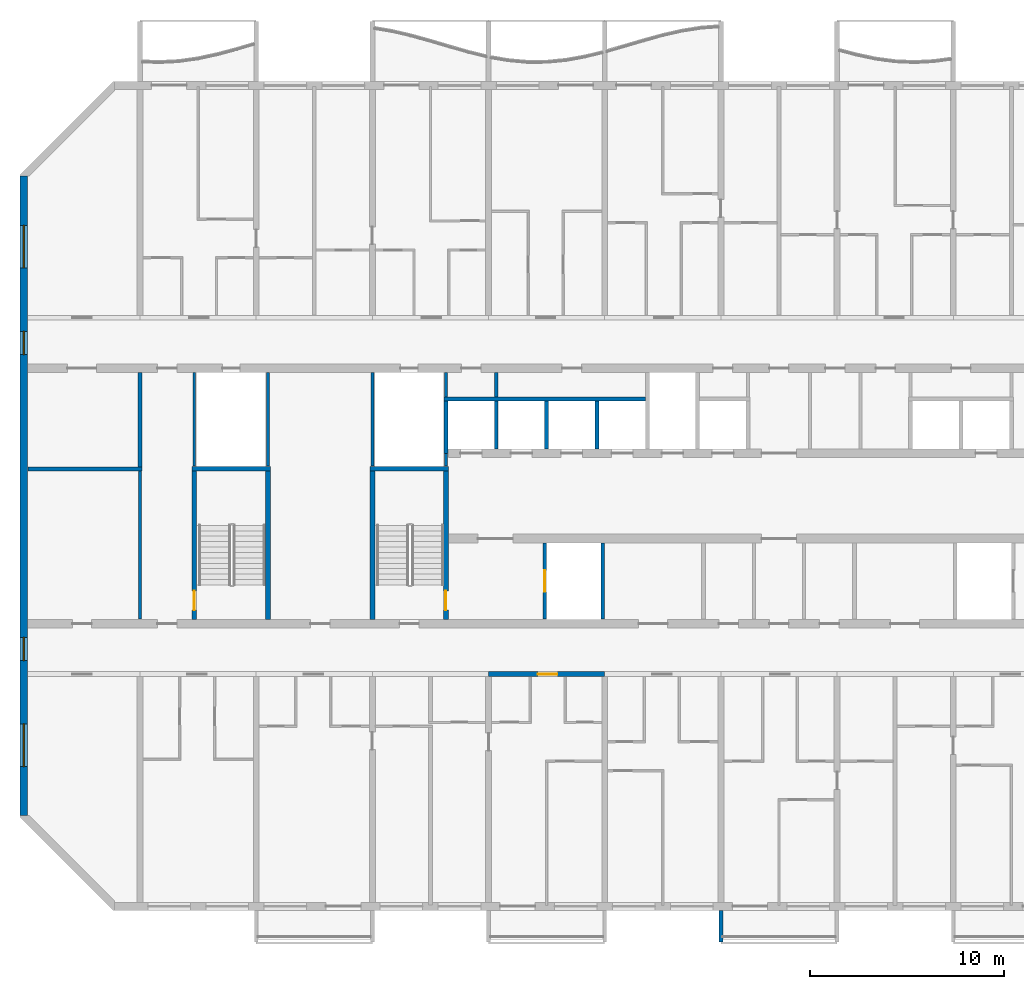
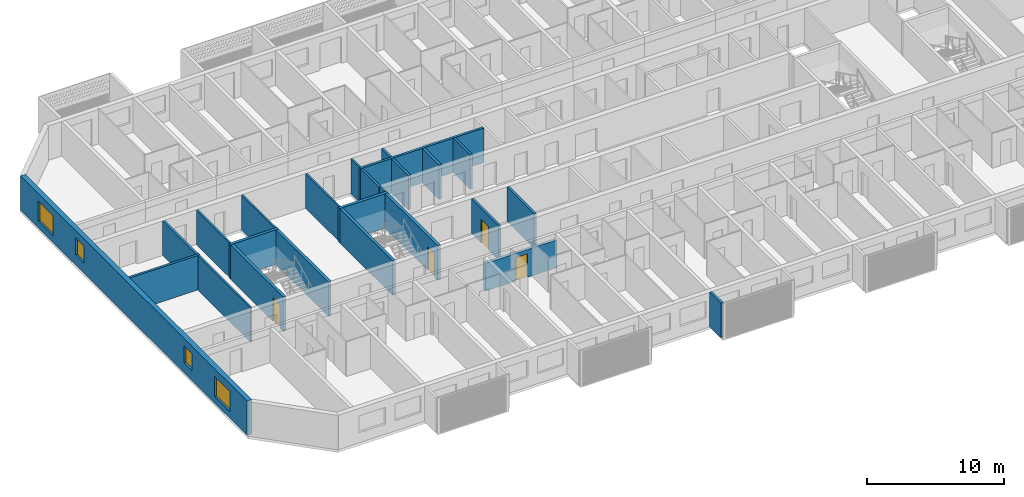
# One storey, part 3 of 33: 25 walls, 4 doors, 4 windows, 8 openings.
"""IFC4 building model written with IfcOpenShell, lengths in metres."""

from ifc_helpers import new_model, si_unit, direction, frame, frame_2d, origin, place, context, subcontext, project, spatial, polyline, rectangle, outline, extrude, source, transform, mapped, material, layer, layer_set, type_object, element, fill, save


model = new_model("IFC4")

# Units and contexts
model_context = context("Model", 3, precision=1e-05, world=origin(), true_north=direction((0.0, 1.0)))
body_context = subcontext(model_context, "Body", "Model", "MODEL_VIEW")
ifc_project = project(units=[si_unit("LENGTHUNIT", "METRE"), si_unit("AREAUNIT", "SQUARE_METRE"), si_unit("VOLUMEUNIT", "CUBIC_METRE"), si_unit("PLANEANGLEUNIT", "RADIAN"), si_unit("MASSUNIT", "GRAM", prefix="KILO")], contexts=[model_context])

# Site, building, storey
site_placement = place(None, origin())
site = spatial("IfcSite", under=ifc_project, at=site_placement, CompositionType="ELEMENT")
building_placement = place(site_placement, origin())
building = spatial("IfcBuilding", under=site, at=building_placement, Name="Poui Terraces", CompositionType="ELEMENT")
storey_placement = place(building_placement, frame((0.0, 0.0, 135.60009765625)))
storey = spatial("IfcBuildingStorey", under=building, at=storey_placement, Name="L37", CompositionType="ELEMENT", Elevation=135.60009765625)

# Wall
ifc_material_1 = material(Name="Fire-rated plasterboard wall")
ifc_layer_1 = layer(ifc_material_1, 0.14990234375)
ifc_layer_set_1 = layer_set([ifc_layer_1], Name="Fire-rated plasterboard wall")
wall_type_1 = type_object("IfcWallType", Name="CORRIDOR WALL 150", PredefinedType="PARTITIONING", material=ifc_layer_set_1)
wall_1_placement = place(storey_placement, frame((18.0, 14.8349609375, 0.0), z_axis=(0.0, 0.0, 1.0), x_axis=(0.0, 1.0, 0.0)))
element("IfcWall", 1, at=wall_1_placement, inside=storey, type_object=wall_type_1, Name="CORRIDOR WALL 150", PredefinedType="PARTITIONING", context=body_context, shape_type="SweptSolid", body=[
    extrude(rectangle(XDim=7.6650390625, YDim=0.14990234375, at=frame_2d((3.83251953125, 0.0))), origin(), (0.0, 0.0, 1.0), 3.06982421875),
])

# Wall, opening, door
ifc_material_2 = material(Name="Concrete 65 MPa", Category="concrete")
ifc_layer_2 = layer(ifc_material_2, 0.25)
ifc_layer_set_2 = layer_set([ifc_layer_2], Name="Concrete 65 MPa")
wall_type_2 = type_object("IfcWallType", Name="CORRIDOR WALL 250 65MPa", PredefinedType="SHEAR", material=ifc_layer_set_2)
wall_2_placement = place(storey_placement, frame((36.0, 12.0, 0.0), z_axis=(0.0, 0.0, 1.0), x_axis=(1.0, 0.0, 0.0)))
wall_2 = element("IfcWall", 2, at=wall_2_placement, inside=storey, type_object=wall_type_2, Name="CORRIDOR WALL LINE B BAY 5", PredefinedType="SHEAR", context=body_context, shape_type="SweptSolid", body=[
    extrude(rectangle(XDim=6.0, YDim=0.25, at=frame_2d((3.0, 0.0))), origin(), (0.0, 0.0, 1.0), 2.469970703125),
])
opening_1_placement = place(wall_2_placement, frame((2.550048828125, 0.0, 0.0)))
opening_1 = element("IfcOpeningElement", 3, at=opening_1_placement, cuts=wall_2, Name="Opening FD30S", PredefinedType="OPENING", context=body_context, shape_type="SweptSolid", body=[
    extrude(rectangle(XDim=1.0, YDim=2.10009765625, at=frame_2d((0.5, 1.050048828125))), frame((0.0, 0.135009765625, 0.0), z_axis=(0.0, -1.0, 0.0), x_axis=(1.0, 0.0, 0.0)), (0.0, 0.0, 1.0), 0.27001953125),
])
ifc_material_3 = material(Name="Steel fire door", Category="steel")
door_type_1 = type_object("IfcDoorType", Name="FLAT ENTRANCE DOOR 1000 X 2100", OperationType="NOTDEFINED", PredefinedType="DOOR", material=ifc_material_3)
door_1_placement = place(opening_1_placement, frame((1.0, 0.0, 0.0), z_axis=(0.0, 0.0, 1.0), x_axis=(-1.0, 0.0, 0.0)))
door_1 = element("IfcDoor", 4, at=door_1_placement, inside=storey, type_object=door_type_1, Name="FLAT ENTRANCE DOOR 086", OperationType="SINGLE_SWING_LEFT", OverallHeight=2.10009765625, OverallWidth=1.0, PredefinedType="DOOR", context=body_context, shape_type="SweptSolid", body=[
    extrude(rectangle(XDim=1.0, YDim=2.10009765625, at=frame_2d((0.5, 1.050048828125))), frame((0.0, 0.02490234375, 0.0), z_axis=(0.0, -1.0, 0.0), x_axis=(1.0, 0.0, 0.0)), (0.0, 0.0, 1.0), 0.050048828125),
])
fill(opening_1, door_1)

# Wall, openings, windows
ifc_layer_3 = layer(ifc_material_2, 0.39990234375)
ifc_layer_set_3 = layer_set([ifc_layer_3], Name="Concrete 65 MPa")
wall_type_3 = type_object("IfcWallType", Name="END WALL 400 65MPa", PredefinedType="SHEAR", material=ifc_layer_set_3)
wall_3_placement = place(storey_placement, frame((12.0, 4.682861328125, 0.0), z_axis=(0.0, 0.0, 1.0), x_axis=(0.0, 1.0, 0.0)))
wall_3 = element("IfcWall", 5, at=wall_3_placement, inside=storey, type_object=wall_type_3, Name="END WALL WEST", PredefinedType="SHEAR", context=body_context, shape_type="SweptSolid", body=[
    extrude(rectangle(XDim=33.034423828125, YDim=0.39990234375, at=frame_2d((16.51708984375, 0.0))), origin(), (0.0, 0.0, 1.0), 3.06982421875),
])
opening_2_placement = place(wall_3_placement, frame((23.817138671875, 0.0, 0.89990234375)))
opening_2 = element("IfcOpeningElement", 6, at=opening_2_placement, cuts=wall_3, Name="Opening W2", PredefinedType="OPENING", context=body_context, shape_type="SweptSolid", body=[
    extrude(rectangle(XDim=1.199951171875, YDim=1.5, at=frame_2d((0.60009765625, 0.75))), frame((0.0, 0.2099609375, 0.0), z_axis=(0.0, -1.0, 0.0), x_axis=(1.0, 0.0, 0.0)), (0.0, 0.0, 1.0), 0.419921875),
])
opening_3_placement = place(wall_3_placement, frame((8.01708984375, 0.0, 0.89990234375)))
opening_3 = element("IfcOpeningElement", 7, at=opening_3_placement, cuts=wall_3, Name="Opening W2", PredefinedType="OPENING", context=body_context, shape_type="SweptSolid", body=[
    extrude(rectangle(XDim=1.199951171875, YDim=1.5, at=frame_2d((0.60009765625, 0.75))), frame((0.0, 0.2099609375, 0.0), z_axis=(0.0, -1.0, 0.0), x_axis=(1.0, 0.0, 0.0)), (0.0, 0.0, 1.0), 0.419921875),
])
opening_4_placement = place(wall_3_placement, frame((28.29345703125, 0.0, 0.60009765625)))
opening_4 = element("IfcOpeningElement", 8, at=opening_4_placement, cuts=wall_3, Name="Opening W3", PredefinedType="OPENING", context=body_context, shape_type="SweptSolid", body=[
    extrude(rectangle(XDim=2.199951171875, YDim=1.800048828125, at=frame_2d((1.10009765625, 0.89990234375))), frame((0.0, 0.2099609375, 0.0), z_axis=(0.0, -1.0, 0.0), x_axis=(1.0, 0.0, 0.0)), (0.0, 0.0, 1.0), 0.419921875),
])
opening_5_placement = place(wall_3_placement, frame((2.541015625, 0.0, 0.60009765625)))
opening_5 = element("IfcOpeningElement", 9, at=opening_5_placement, cuts=wall_3, Name="Opening W3", PredefinedType="OPENING", context=body_context, shape_type="SweptSolid", body=[
    extrude(rectangle(XDim=2.199951171875, YDim=1.800048828125, at=frame_2d((1.10009765625, 0.89990234375))), frame((0.0, 0.2099609375, 0.0), z_axis=(0.0, -1.0, 0.0), x_axis=(1.0, 0.0, 0.0)), (0.0, 0.0, 1.0), 0.419921875),
])
ifc_material_4 = material(Name="Clear glass in aluminium frame", Category="aluminium")
window_type_1 = type_object("IfcWindowType", Name="WINDOW 1200X1500", PartitioningType="SINGLE_PANEL", PredefinedType="WINDOW", material=ifc_material_4)
window_1_placement = place(opening_2_placement, origin())
window_1 = element("IfcWindow", 10, at=window_1_placement, inside=storey, type_object=window_type_1, Name="W2 WINDOW", OverallHeight=1.5, OverallWidth=1.199951171875, PartitioningType="SINGLE_PANEL", PredefinedType="WINDOW", context=body_context, shape_type="SweptSolid", body=[
    extrude(rectangle(XDim=1.199951171875, YDim=1.5, at=frame_2d((0.60009765625, 0.75))), frame((0.0, 0.030029296875, 0.0), z_axis=(0.0, -1.0, 0.0), x_axis=(1.0, 0.0, 0.0)), (0.0, 0.0, 1.0), 0.06005859375),
])
fill(opening_2, window_1)
window_2_placement = place(opening_3_placement, origin())
window_2 = element("IfcWindow", 11, at=window_2_placement, inside=storey, type_object=window_type_1, Name="W2 WINDOW", OverallHeight=1.5, OverallWidth=1.199951171875, PartitioningType="SINGLE_PANEL", PredefinedType="WINDOW", context=body_context, shape_type="SweptSolid", body=[
    extrude(rectangle(XDim=1.199951171875, YDim=1.5, at=frame_2d((0.60009765625, 0.75))), frame((0.0, 0.030029296875, 0.0), z_axis=(0.0, -1.0, 0.0), x_axis=(1.0, 0.0, 0.0)), (0.0, 0.0, 1.0), 0.06005859375),
])
fill(opening_3, window_2)
window_type_2 = type_object("IfcWindowType", Name="WINDOW 2200X1800", PartitioningType="DOUBLE_PANEL_HORIZONTAL", PredefinedType="WINDOW", material=ifc_material_4)
window_3_placement = place(opening_4_placement, origin())
window_3 = element("IfcWindow", 12, at=window_3_placement, inside=storey, type_object=window_type_2, Name="W3 WINDOW", OverallHeight=1.800048828125, OverallWidth=2.199951171875, PartitioningType="DOUBLE_PANEL_HORIZONTAL", PredefinedType="WINDOW", context=body_context, shape_type="SweptSolid", body=[
    extrude(rectangle(XDim=2.199951171875, YDim=1.800048828125, at=frame_2d((1.10009765625, 0.89990234375))), frame((0.0, 0.030029296875, 0.0), z_axis=(0.0, -1.0, 0.0), x_axis=(1.0, 0.0, 0.0)), (0.0, 0.0, 1.0), 0.06005859375),
])
fill(opening_4, window_3)
window_4_placement = place(opening_5_placement, origin())
window_4 = element("IfcWindow", 13, at=window_4_placement, inside=storey, type_object=window_type_2, Name="W3 WINDOW", OverallHeight=1.800048828125, OverallWidth=2.199951171875, PartitioningType="DOUBLE_PANEL_HORIZONTAL", PredefinedType="WINDOW", context=body_context, shape_type="SweptSolid", body=[
    extrude(rectangle(XDim=2.199951171875, YDim=1.800048828125, at=frame_2d((1.10009765625, 0.89990234375))), frame((0.0, 0.030029296875, 0.0), z_axis=(0.0, -1.0, 0.0), x_axis=(1.0, 0.0, 0.0)), (0.0, 0.0, 1.0), 0.06005859375),
])
fill(opening_5, window_4)

# Walls
ifc_material_5 = material(Name="Fire-rated masonry wall", Category="masonry")
ifc_layer_4 = layer(ifc_material_5, 0.199951171875)
ifc_layer_set_4 = layer_set([ifc_layer_4], Name="Fire-rated masonry wall")
wall_type_4 = type_object("IfcWallType", Name="PLANT ROOM WALL 200", PredefinedType="PARTITIONING", material=ifc_layer_set_4)
wall_4_placement = place(storey_placement, frame((12.2099609375, 22.60009765625, 0.0), z_axis=(0.0, 0.0, 1.0), x_axis=(1.0, 0.0, 0.0)))
element("IfcWall", 14, at=wall_4_placement, inside=storey, type_object=wall_type_4, Name="PLANT ROOM WALL 200", PredefinedType="PARTITIONING", context=body_context, shape_type="SweptSolid", body=[
    extrude(rectangle(XDim=5.89013671875, YDim=0.199951171875, at=frame_2d((2.945068359375, 0.0))), origin(), (0.0, 0.0, 1.0), 3.06982421875),
])
wall_5_placement = place(storey_placement, frame((18.0, 22.699951171875, 0.0), z_axis=(0.0, 0.0, 1.0), x_axis=(0.0, 1.0, 0.0)))
element("IfcWall", 15, at=wall_5_placement, inside=storey, type_object=wall_type_4, Name="PLANT ROOM WALL 200", PredefinedType="PARTITIONING", context=body_context, shape_type="SweptSolid", body=[
    extrude(rectangle(XDim=4.864990234375, YDim=0.199951171875, at=frame_2d((2.4326171875, 0.0))), origin(), (0.0, 0.0, 1.0), 3.06982421875),
])
wall_6_placement = place(storey_placement, frame((36.39990234375, 26.300048828125, 0.0), z_axis=(0.0, 0.0, 1.0), x_axis=(0.0, 1.0, 0.0)))
element("IfcWall", 16, at=wall_6_placement, inside=storey, type_object=wall_type_4, Name="PLANT ROOM WALL 200", PredefinedType="PARTITIONING", context=body_context, shape_type="SweptSolid", body=[
    extrude(rectangle(XDim=1.264892578125, YDim=0.199951171875, at=frame_2d((0.63232421875, 0.0))), origin(), (0.0, 0.0, 1.0), 3.06982421875),
])
ifc_material_6 = material(Name="Fire-rated plasterboard riser wall")
ifc_layer_5 = layer(ifc_material_6, 0.14990234375)
ifc_layer_set_5 = layer_set([ifc_layer_5], Name="Fire-rated plasterboard riser wall")
wall_type_5 = type_object("IfcWallType", Name="RISER WALL 150", PredefinedType="PARTITIONING", material=ifc_layer_set_5)
for number, where, z_axis, x_axis, name in (
    (17, (20.800048828125, 22.735107421875, 0.0), (0.0, 0.0, 1.0), (0.0, 1.0, 0.0), "RISER WALL 150"),
    (18, (24.60009765625, 22.735107421875, 0.0), (0.0, 0.0, 1.0), (0.0, 1.0, 0.0), "RISER WALL 150"),
    (19, (30.0, 22.735107421875, 0.0), (0.0, 0.0, 1.0), (0.0, 1.0, 0.0), "RISER WALL 150"),
):
    element("IfcWall", number, at=place(storey_placement, frame(where, z_axis=z_axis, x_axis=x_axis)), inside=storey, type_object=wall_type_5, Name=name, PredefinedType="PARTITIONING", context=body_context, shape_type="SweptSolid", body=[
        extrude(rectangle(XDim=4.829833984375, YDim=0.14990234375, at=frame_2d((2.4150390625, 0.0))), origin(), (0.0, 0.0, 1.0), 3.06982421875),
    ])
wall_7_placement = place(storey_placement, frame((33.800048828125, 22.735107421875, 0.0), z_axis=(0.0, 0.0, 1.0), x_axis=(0.0, 1.0, 0.0)))
element("IfcWall", 20, at=wall_7_placement, inside=storey, type_object=wall_type_5, Name="RISER WALL 150", PredefinedType="PARTITIONING", context=body_context, shape_type="SweptSolid", body=[
    extrude(rectangle(XDim=0.664794921875, YDim=0.14990234375, at=frame_2d((0.33251953125, 0.0))), origin(), (0.0, 0.0, 1.0), 3.06982421875),
])
wall_8_placement = place(storey_placement, frame((33.800048828125, 26.300048828125, 0.0), z_axis=(0.0, 0.0, 1.0), x_axis=(0.0, 1.0, 0.0)))
element("IfcWall", 21, at=wall_8_placement, inside=storey, type_object=wall_type_5, Name="RISER WALL 150", PredefinedType="PARTITIONING", context=body_context, shape_type="SweptSolid", body=[
    extrude(rectangle(XDim=1.264892578125, YDim=0.14990234375, at=frame_2d((0.63232421875, 0.0))), origin(), (0.0, 0.0, 1.0), 3.06982421875),
])
ifc_material_7 = material(Name="Fire-rated masonry shaft wall", Category="masonry")
ifc_layer_6 = layer(ifc_material_7, 0.199951171875)
ifc_layer_set_6 = layer_set([ifc_layer_6], Name="Fire-rated masonry shaft wall")
wall_type_6 = type_object("IfcWallType", Name="SHAFT WALL 200", PredefinedType="PARTITIONING", material=ifc_layer_set_6)
wall_9_placement = place(storey_placement, frame((33.699951171875, 26.199951171875, 0.0), z_axis=(0.0, 0.0, 1.0), x_axis=(1.0, 0.0, 0.0)))
element("IfcWall", 22, at=wall_9_placement, inside=storey, type_object=wall_type_6, Name="SHAFT WALL 200", PredefinedType="PARTITIONING", context=body_context, shape_type="SweptSolid", body=[
    extrude(rectangle(XDim=10.400146484375, YDim=0.199951171875, at=frame_2d((5.2001953125, 0.0))), origin(), (0.0, 0.0, 1.0), 3.06982421875),
])
wall_10_placement = place(storey_placement, frame((33.800048828125, 23.39990234375, 0.0), z_axis=(0.0, 0.0, 1.0), x_axis=(0.0, 1.0, 0.0)))
element("IfcWall", 23, at=wall_10_placement, inside=storey, type_object=wall_type_6, Name="SHAFT WALL 200", PredefinedType="PARTITIONING", context=body_context, shape_type="SweptSolid", body=[
    extrude(rectangle(XDim=2.7001953125, YDim=0.199951171875, at=frame_2d((1.35009765625, 0.0))), origin(), (0.0, 0.0, 1.0), 3.06982421875),
])
wall_11_placement = place(storey_placement, frame((36.39990234375, 23.635009765625, 0.0), z_axis=(0.0, 0.0, 1.0), x_axis=(0.0, 1.0, 0.0)))
element("IfcWall", 24, at=wall_11_placement, inside=storey, type_object=wall_type_6, Name="SHAFT WALL 200", PredefinedType="PARTITIONING", context=body_context, shape_type="SweptSolid", body=[
    extrude(rectangle(XDim=2.465087890625, YDim=0.199951171875, at=frame_2d((1.232421875, 0.0))), origin(), (0.0, 0.0, 1.0), 3.06982421875),
])

# Wall, opening, door
wall_12_placement = place(storey_placement, frame((38.89990234375, 14.8349609375, 0.0), z_axis=(0.0, 0.0, 1.0), x_axis=(0.0, 1.0, 0.0)))
wall_12 = element("IfcWall", 25, at=wall_12_placement, inside=storey, type_object=wall_type_6, Name="SHAFT WALL 200", PredefinedType="PARTITIONING", context=body_context, shape_type="SweptSolid", body=[
    extrude(rectangle(XDim=3.929931640625, YDim=0.199951171875, at=frame_2d((1.96484375, 0.0))), origin(), (0.0, 0.0, 1.0), 3.06982421875),
])
opening_6_placement = place(wall_12_placement, frame((1.4150390625, 0.0, 0.0)))
opening_6 = element("IfcOpeningElement", 26, at=opening_6_placement, cuts=wall_12, Name="Opening LD", PredefinedType="OPENING", context=body_context, shape_type="SweptSolid", body=[
    extrude(rectangle(XDim=1.10009765625, YDim=2.10009765625, at=frame_2d((0.550048828125, 1.050048828125))), frame((0.0, 0.10986328125, 0.0), z_axis=(0.0, -1.0, 0.0), x_axis=(1.0, 0.0, 0.0)), (0.0, 0.0, 1.0), 0.219970703125),
])
ifc_material_8 = material(Name="Stainless steel sliding door", Category="steel")
door_type_2 = type_object("IfcDoorType", Name="LIFT LANDING DOOR 1100 X 2100", OperationType="DOUBLE_DOOR_SLIDING", PredefinedType="DOOR", material=ifc_material_8)
door_2_placement = place(opening_6_placement, origin())
door_2 = element("IfcDoor", 27, at=door_2_placement, inside=storey, type_object=door_type_2, Name="LANDING DOOR", OperationType="DOUBLE_DOOR_SLIDING", OverallHeight=2.10009765625, OverallWidth=1.10009765625, PredefinedType="DOOR", context=body_context, shape_type="SweptSolid", body=[
    extrude(rectangle(XDim=1.10009765625, YDim=2.10009765625, at=frame_2d((0.550048828125, 1.050048828125))), frame((0.0, 0.02490234375, 0.0), z_axis=(0.0, -1.0, 0.0), x_axis=(1.0, 0.0, 0.0)), (0.0, 0.0, 1.0), 0.050048828125),
])
fill(opening_6, door_2)

# Walls
for number, where, z_axis, x_axis, name in (
    (28, (39.0, 23.635009765625, 0.0), (0.0, 0.0, 1.0), (0.0, 1.0, 0.0), "SHAFT WALL 200"),
    (29, (41.60009765625, 23.635009765625, 0.0), (0.0, 0.0, 1.0), (0.0, 1.0, 0.0), "SHAFT WALL 200"),
):
    element("IfcWall", number, at=place(storey_placement, frame(where, z_axis=z_axis, x_axis=x_axis)), inside=storey, type_object=wall_type_6, Name=name, PredefinedType="PARTITIONING", context=body_context, shape_type="SweptSolid", body=[
        extrude(rectangle(XDim=2.465087890625, YDim=0.199951171875, at=frame_2d((1.232421875, 0.0))), origin(), (0.0, 0.0, 1.0), 3.06982421875),
    ])
wall_13_placement = place(storey_placement, frame((41.89990234375, 14.8349609375, 0.0), z_axis=(0.0, 0.0, 1.0), x_axis=(0.0, 1.0, 0.0)))
element("IfcWall", 30, at=wall_13_placement, inside=storey, type_object=wall_type_6, Name="SHAFT WALL 200", PredefinedType="PARTITIONING", context=body_context, shape_type="SweptSolid", body=[
    extrude(rectangle(XDim=3.929931640625, YDim=0.199951171875, at=frame_2d((1.96484375, 0.0))), origin(), (0.0, 0.0, 1.0), 3.06982421875),
])
ifc_layer_7 = layer(ifc_material_2, 0.25)
ifc_layer_set_7 = layer_set([ifc_layer_7], Name="Concrete 65 MPa")
wall_type_7 = type_object("IfcWallType", Name="STAIR CORE WALL 250 65 MPA", PredefinedType="SOLIDWALL", material=ifc_layer_set_7)
wall_14_placement = place(storey_placement, frame((30.0, 14.824951171875, 0.0), z_axis=(0.0, 0.0, 1.0), x_axis=(0.0, 1.0, 0.0)))
element("IfcWall", 31, at=wall_14_placement, inside=storey, type_object=wall_type_7, Name="STAIR CORE WALL", PredefinedType="SOLIDWALL", context=body_context, shape_type="SweptSolid", body=[
    extrude(rectangle(XDim=7.650146484375, YDim=0.25, at=frame_2d((3.8251953125, 0.0))), origin(), (0.0, 0.0, 1.0), 3.06982421875),
])

# Wall, opening, door
wall_15_placement = place(storey_placement, frame((33.800048828125, 14.824951171875, 0.0), z_axis=(0.0, 0.0, 1.0), x_axis=(0.0, 1.0, 0.0)))
wall_15 = element("IfcWall", 32, at=wall_15_placement, inside=storey, type_object=wall_type_7, Name="STAIR CORE WALL", PredefinedType="SOLIDWALL", context=body_context, shape_type="SweptSolid", body=[
    extrude(rectangle(XDim=7.650146484375, YDim=0.25, at=frame_2d((3.8251953125, 0.0))), origin(), (0.0, 0.0, 1.0), 3.06982421875),
])
opening_7_placement = place(wall_15_placement, frame((0.47509765625, 0.0, 0.0)))
opening_7 = element("IfcOpeningElement", 33, at=opening_7_placement, cuts=wall_15, Name="Opening FD60S", PredefinedType="OPENING", context=body_context, shape_type="SweptSolid", body=[
    extrude(rectangle(XDim=1.0, YDim=2.10009765625, at=frame_2d((0.5, 1.050048828125))), frame((0.0, 0.135009765625, 0.0), z_axis=(0.0, -1.0, 0.0), x_axis=(1.0, 0.0, 0.0)), (0.0, 0.0, 1.0), 0.27001953125),
])
door_type_3 = type_object("IfcDoorType", Name="STAIR DOOR 1000 X 2100", OperationType="NOTDEFINED", PredefinedType="DOOR", material=ifc_material_3)
door_3_placement = place(opening_7_placement, origin())
door_3 = element("IfcDoor", 34, at=door_3_placement, inside=storey, type_object=door_type_3, Name="STAIR DOOR 119", OperationType="SINGLE_SWING_LEFT", OverallHeight=2.10009765625, OverallWidth=1.0, PredefinedType="DOOR", context=body_context, shape_type="SweptSolid", body=[
    extrude(rectangle(XDim=1.0, YDim=2.10009765625, at=frame_2d((0.5, 1.050048828125))), frame((0.0, 0.02490234375, 0.0), z_axis=(0.0, -1.0, 0.0), x_axis=(1.0, 0.0, 0.0)), (0.0, 0.0, 1.0), 0.050048828125),
])
fill(opening_7, door_3)

# Wall
wall_16_placement = place(storey_placement, frame((29.875, 22.60009765625, 0.0), z_axis=(0.0, 0.0, 1.0), x_axis=(1.0, 0.0, 0.0)))
element("IfcWall", 35, at=wall_16_placement, inside=storey, type_object=wall_type_7, Name="STAIR CORE WALL", PredefinedType="SOLIDWALL", context=body_context, shape_type="SweptSolid", body=[
    extrude(rectangle(XDim=4.050048828125, YDim=0.25, at=frame_2d((2.02490234375, 0.0))), origin(), (0.0, 0.0, 1.0), 3.06982421875),
])

# Wall, opening, door
wall_17_placement = place(storey_placement, frame((20.800048828125, 14.824951171875, 0.0), z_axis=(0.0, 0.0, 1.0), x_axis=(0.0, 1.0, 0.0)))
wall_17 = element("IfcWall", 36, at=wall_17_placement, inside=storey, type_object=wall_type_7, Name="STAIR CORE WALL", PredefinedType="SOLIDWALL", context=body_context, shape_type="SweptSolid", body=[
    extrude(rectangle(XDim=7.650146484375, YDim=0.25, at=frame_2d((3.8251953125, 0.0))), origin(), (0.0, 0.0, 1.0), 3.06982421875),
])
opening_8_placement = place(wall_17_placement, frame((0.47509765625, 0.0, 0.0)))
opening_8 = element("IfcOpeningElement", 37, at=opening_8_placement, cuts=wall_17, Name="Opening FD60S", PredefinedType="OPENING", context=body_context, shape_type="SweptSolid", body=[
    extrude(rectangle(XDim=1.0, YDim=2.10009765625, at=frame_2d((0.5, 1.050048828125))), frame((0.0, 0.135009765625, 0.0), z_axis=(0.0, -1.0, 0.0), x_axis=(1.0, 0.0, 0.0)), (0.0, 0.0, 1.0), 0.27001953125),
])
door_4_placement = place(opening_8_placement, frame((1.0, 0.0, 0.0), z_axis=(0.0, 0.0, 1.0), x_axis=(-1.0, 0.0, 0.0)))
door_4 = element("IfcDoor", 38, at=door_4_placement, inside=storey, type_object=door_type_3, Name="STAIR DOOR 133", OperationType="SINGLE_SWING_RIGHT", OverallHeight=2.10009765625, OverallWidth=1.0, PredefinedType="DOOR", context=body_context, shape_type="SweptSolid", body=[
    extrude(rectangle(XDim=1.0, YDim=2.10009765625, at=frame_2d((0.5, 1.050048828125))), frame((0.0, 0.02490234375, 0.0), z_axis=(0.0, -1.0, 0.0), x_axis=(1.0, 0.0, 0.0)), (0.0, 0.0, 1.0), 0.050048828125),
])
fill(opening_8, door_4)

# Walls
wall_18_placement = place(storey_placement, frame((24.60009765625, 14.824951171875, 0.0), z_axis=(0.0, 0.0, 1.0), x_axis=(0.0, 1.0, 0.0)))
element("IfcWall", 39, at=wall_18_placement, inside=storey, type_object=wall_type_7, Name="STAIR CORE WALL", PredefinedType="SOLIDWALL", context=body_context, shape_type="SweptSolid", body=[
    extrude(rectangle(XDim=7.650146484375, YDim=0.25, at=frame_2d((3.8251953125, 0.0))), origin(), (0.0, 0.0, 1.0), 3.06982421875),
])
wall_19_placement = place(storey_placement, frame((20.675048828125, 22.60009765625, 0.0), z_axis=(0.0, 0.0, 1.0), x_axis=(1.0, 0.0, 0.0)))
element("IfcWall", 40, at=wall_19_placement, inside=storey, type_object=wall_type_7, Name="STAIR CORE WALL", PredefinedType="SOLIDWALL", context=body_context, shape_type="SweptSolid", body=[
    extrude(rectangle(XDim=4.050048828125, YDim=0.25, at=frame_2d((2.02490234375, 0.0))), origin(), (0.0, 0.0, 1.0), 3.06982421875),
])
ifc_material_9 = material(Name="Precast concrete 40 MPa", Category="concrete")
ifc_layer_8 = layer(ifc_material_9, 0.199951171875)
ifc_layer_set_8 = layer_set([ifc_layer_8], Name="Precast concrete 40 MPa")
wall_type_8 = type_object("IfcWallType", Name="REAR FIN 200", PredefinedType="STANDARD", material=ifc_layer_set_8)
shared_shape = source(origin(), body_context, "Body", "SweptSolid", [
    extrude(outline(polyline([(0.0, 0.0), (0.2001953125, 0.0), (0.2001953125, 1.650146484375), (0.0, 1.650146484375), (0.0, 0.0)])), origin(), (0.0, 0.0, 1.0), 3.099853515625),
])
wall_20_placement = place(storey_placement, frame((47.89990234375, -1.85009765625, 0.0)))
element("IfcWall", 41, at=wall_20_placement, inside=storey, type_object=wall_type_8, Name="REAR FIN", PredefinedType="STANDARD", context=body_context, shape_type="MappedRepresentation", body=[
    mapped(shared_shape, transform((0.0, 0.0, 0.0))),
])

save(model, "model.ifc")
